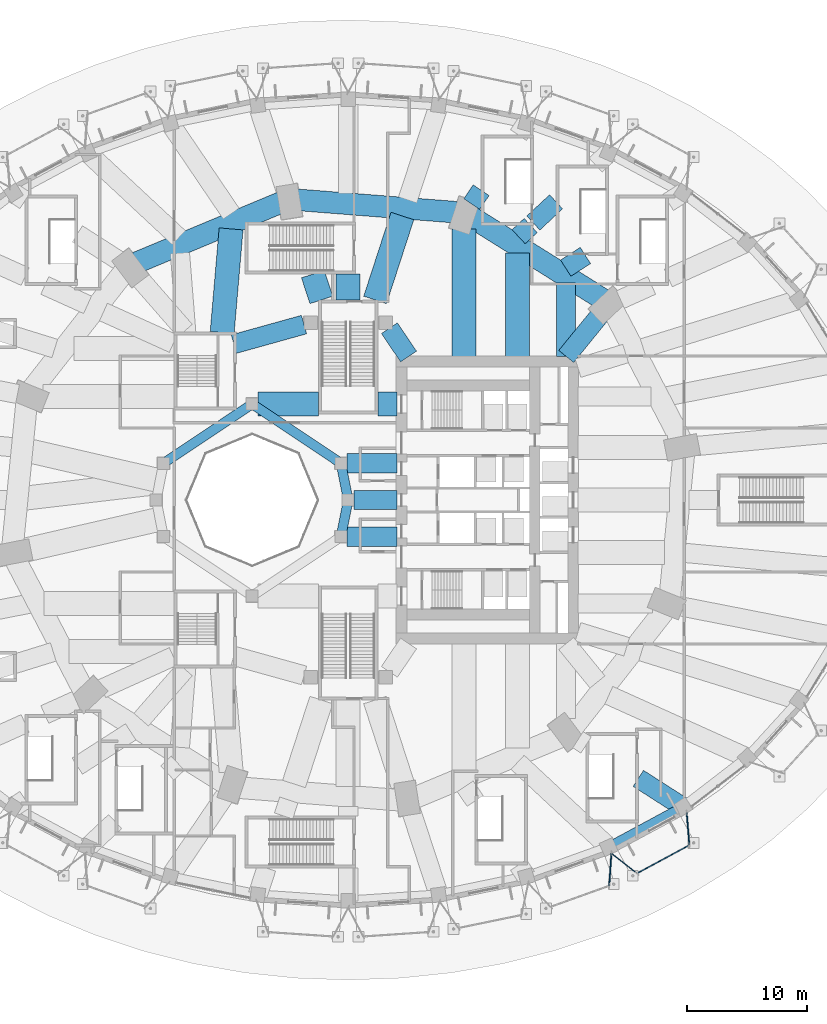
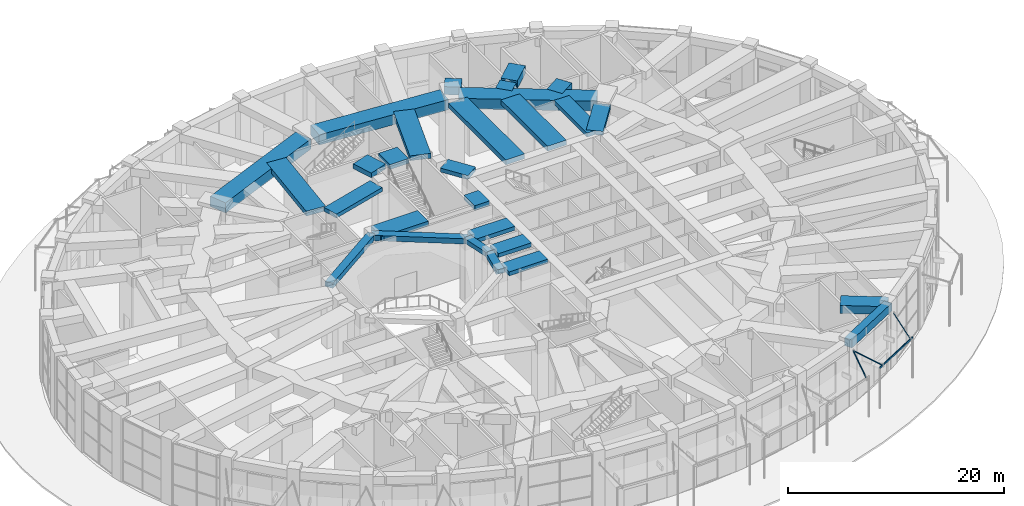
# One storey, part 27 of 60: 29 beams, 3 members.
"""IFC4 building model written with IfcOpenShell, lengths in metres."""

from ifc_helpers import new_model, si_unit, direction, frame, origin, origin_2d, place, context, subcontext, project, spatial, rectangle, hollow_rectangle, hollow_circle, extrude, material, material_profile, profile_set, type_object, element, save


model = new_model("IFC4")

# Units and contexts
model_context = context("Model", 3, precision=1e-05, world=origin(), true_north=direction((0.0, 1.0)))
body_context = subcontext(model_context, "Body", "Model", "MODEL_VIEW")
ifc_project = project(units=[si_unit("LENGTHUNIT", "METRE"), si_unit("AREAUNIT", "SQUARE_METRE"), si_unit("VOLUMEUNIT", "CUBIC_METRE"), si_unit("PLANEANGLEUNIT", "RADIAN"), si_unit("MASSUNIT", "GRAM", prefix="KILO")], contexts=[model_context])

# Site, building, storey
site_placement = place(None, origin())
site = spatial("IfcSite", under=ifc_project, at=site_placement, CompositionType="ELEMENT")
building_placement = place(site_placement, origin())
building = spatial("IfcBuilding", under=site, at=building_placement, Name="Taillehof Tower", CompositionType="ELEMENT")
storey_placement = place(building_placement, origin())
storey = spatial("IfcBuildingStorey", under=building, at=storey_placement, Name="L00", CompositionType="ELEMENT", Elevation=0.0)

# Beams
ifc_material_1 = material(Name="Concrete C50/60", Category="concrete")
ifc_material_profile_1 = material_profile(ifc_material_1, rectangle(XDim=0.800048828125, YDim=0.5, at=origin_2d()), Name="RC 800x500")
ifc_profile_set_1 = profile_set([ifc_material_profile_1], Name="Concrete C50/60")
beam_type_1 = type_object("IfcBeamType", Name="Atrium ring beam C50/60 800x500", PredefinedType="BEAM", material=ifc_profile_set_1)
for number, where, z_axis, x_axis, name in (
    (1, (0.0, 0.0, 6.840087890625), (-0.195063155143, 0.980790683839, 0.0), (-0.980790683839, -0.195063155143, 0.0), "Atrium ring beam AB01"),
    (2, (-0.60888671875, -3.0615234375, 6.840087890625), (0.195063155143, 0.980790683839, 0.0), (-0.980790683839, 0.195063155143, 0.0), "Atrium ring beam AB08"),
):
    element("IfcBeam", number, at=place(storey_placement, frame(where, z_axis=z_axis, x_axis=x_axis)), inside=storey, type_object=beam_type_1, Name=name, PredefinedType="BEAM", context=body_context, shape_type="SweptSolid", body=[
        extrude(rectangle(XDim=0.800048828125, YDim=0.5, at=origin_2d()), origin(), (0.0, 0.0, 1.0), 3.12158203125),
    ])
ifc_material_2 = material(Name="Concrete C50/60", Category="concrete")
ifc_material_profile_2 = material_profile(ifc_material_2, rectangle(XDim=0.800048828125, YDim=0.60009765625, at=origin_2d()), Name="RC 800x600")
ifc_profile_set_2 = profile_set([ifc_material_profile_2], Name="Concrete C50/60")
beam_type_2 = type_object("IfcBeamType", Name="Atrium ring beam C50/60 800x600", PredefinedType="BEAM", material=ifc_profile_set_2)
for number, where, z_axis, x_axis, name in (
    (3, (-0.60888671875, 3.0615234375, 6.7900390625), (-0.831475195687, 0.555561876804, 0.0), (-0.555561876804, -0.831475195687, 0.0), "Atrium ring beam AB02"),
    (4, (-8.0, 8.0, 6.7900390625), (-0.831475195687, -0.555561876804, 0.0), (0.555561876804, -0.831475195687, 0.0), "Atrium ring beam AB03"),
):
    element("IfcBeam", number, at=place(storey_placement, frame(where, z_axis=z_axis, x_axis=x_axis)), inside=storey, type_object=beam_type_2, Name=name, PredefinedType="BEAM", context=body_context, shape_type="SweptSolid", body=[
        extrude(rectangle(XDim=0.800048828125, YDim=0.60009765625, at=origin_2d()), origin(), (0.0, 0.0, 1.0), 8.88916015625),
    ])
ifc_material_3 = material(Name="Steel S460M", Category="steel")
ifc_material_profile_3 = material_profile(ifc_material_3, hollow_rectangle(XDim=0.10009765625, YDim=0.199951171875, WallThickness=0.008056640625, InnerFilletRadius=0.008056640625, OuterFilletRadius=0.011962890625, at=origin_2d()), Name="RHS 200x100x8")
ifc_profile_set_3 = profile_set([ifc_material_profile_3], Name="Steel S460M")
beam_type_3 = type_object("IfcBeamType", Name="Canopy edge beam RHS 200x100x8", PredefinedType="BEAM", material=ifc_profile_set_3)
beam_1_placement = place(storey_placement, frame((23.694091796875, -31.314453125, 4.550048828125), z_axis=(0.880314208322, 0.474391077727, 0.0), x_axis=(-0.474391077727, 0.880314208322, 0.0)))
element("IfcBeam", 5, at=beam_1_placement, inside=storey, type_object=beam_type_3, Name="Canopy edge beam E22", PredefinedType="BEAM", context=body_context, shape_type="SweptSolid", body=[
    extrude(hollow_rectangle(XDim=0.10009765625, YDim=0.199951171875, WallThickness=0.008056640625, InnerFilletRadius=0.008056640625, OuterFilletRadius=0.011962890625, at=origin_2d()), origin(), (0.0, 0.0, 1.0), 5.7978515625),
])

# Members
ifc_material_4 = material(Name="Steel S460M", Category="steel")
ifc_material_profile_4 = material_profile(ifc_material_4, hollow_circle(Radius=0.04443359375, WallThickness=0.0048828125, at=origin_2d()), Name="CHS 89x5")
ifc_profile_set_4 = profile_set([ifc_material_profile_4], Name="Steel S460M")
member_type = type_object("IfcMemberType", Name="Canopy tie CHS 89x5", PredefinedType="BRACE", material=ifc_profile_set_4)
for number, where, z_axis, x_axis, name in (
    (6, (21.74951171875, -32.147216796875, 4.639892578125), (0.060269732569, 0.89155693967, 0.448880588423), (-0.997722884906, 0.067446608035, 0.0), "Canopy tie E8"),
    (7, (24.063720703125, -31.115234375, 4.639892578125), (-0.703507737819, 0.550977655619, 0.448888054907), (-0.61659025801, -0.787284226774, 0.0), "Canopy tie E22"),
):
    element("IfcMember", number, at=place(storey_placement, frame(where, z_axis=z_axis, x_axis=x_axis)), inside=storey, type_object=member_type, Name=name, PredefinedType="BRACE", context=body_context, shape_type="SweptSolid", body=[
        extrude(hollow_circle(Radius=0.04443359375, WallThickness=0.0048828125, at=origin_2d()), origin(), (0.0, 0.0, 1.0), 3.030029296875),
    ])
member_placement = place(storey_placement, frame((28.42822265625, -28.76318359375, 4.639892578125), z_axis=(-0.072990996782, 0.890635175961, 0.448822122594), x_axis=(-0.996658604155, -0.081680026718, 0.0)))
element("IfcMember", 8, at=member_placement, inside=storey, type_object=member_type, Name="Canopy tie E22", PredefinedType="BRACE", context=body_context, shape_type="SweptSolid", body=[
    extrude(hollow_circle(Radius=0.04443359375, WallThickness=0.0048828125, at=origin_2d()), origin(), (0.0, 0.0, 1.0), 3.0302734375),
])

# Beams
ifc_material_5 = material(Name="Concrete C50/60", Category="concrete")
ifc_material_profile_5 = material_profile(ifc_material_5, rectangle(XDim=0.800048828125, YDim=0.89990234375, at=origin_2d()), Name="RC 800x900")
ifc_profile_set_5 = profile_set([ifc_material_profile_5], Name="Concrete C50/60")
beam_type_4 = type_object("IfcBeamType", Name="Podium edge beam C50/60 800x900", PredefinedType="BEAM", material=ifc_profile_set_5)
beam_2_placement = place(storey_placement, frame((21.699951171875, -28.92529296875, 6.639892578125), z_axis=(0.880322944269, 0.474374866317, 0.0), x_axis=(-0.474374866317, 0.880322944269, 0.0)))
element("IfcBeam", 9, at=beam_2_placement, inside=storey, type_object=beam_type_4, Name="Podium edge beam PB31", PredefinedType="BEAM", context=body_context, shape_type="SweptSolid", body=[
    extrude(rectangle(XDim=0.800048828125, YDim=0.89990234375, at=origin_2d()), origin(), (0.0, 0.0, 1.0), 7.03955078125),
])
ifc_material_6 = material(Name="Concrete C50/60", Category="concrete")
ifc_material_profile_6 = material_profile(ifc_material_6, rectangle(XDim=1.60009765625, YDim=0.89990234375, at=origin_2d()), Name="RC 1600x900")
ifc_profile_set_6 = profile_set([ifc_material_profile_6], Name="Concrete C50/60")
beam_type_5 = type_object("IfcBeamType", Name="Podium radial beam C50/60 1600x900", PredefinedType="BEAM", material=ifc_profile_set_6)
beam_3_placement = place(storey_placement, frame((19.76904296875, 20.375, 6.639892578125), z_axis=(-0.841852892028, -0.53970705775, 0.0), x_axis=(0.53970705775, -0.841852892028, 0.0)))
element("IfcBeam", 10, at=beam_3_placement, inside=storey, type_object=beam_type_5, Name="Podium radial beam PR06", PredefinedType="BEAM", context=body_context, shape_type="SweptSolid", body=[
    extrude(rectangle(XDim=1.60009765625, YDim=0.89990234375, at=origin_2d()), origin(), (0.0, 0.0, 1.0), 1.95068359375),
])
beam_4_placement = place(storey_placement, frame((17.324951171875, 24.848876953125, 6.639892578125), z_axis=(-0.731580253187, -0.68175533232, 0.0), x_axis=(0.68175533232, -0.731580253187, 0.0)))
element("IfcBeam", 11, at=beam_4_placement, inside=storey, type_object=beam_type_5, Name="Podium radial beam PR07", PredefinedType="BEAM", context=body_context, shape_type="SweptSolid", body=[
    extrude(rectangle(XDim=1.60009765625, YDim=0.89990234375, at=origin_2d()), origin(), (0.0, 0.0, 1.0), 2.596923828125),
])
beam_5_placement = place(storey_placement, frame((15.206787109375, 22.875, 6.639892578125), z_axis=(-0.731704583504, -0.681621891138, 0.0), x_axis=(0.681621891138, -0.731704583504, 0.0)))
element("IfcBeam", 12, at=beam_5_placement, inside=storey, type_object=beam_type_5, Name="Podium radial beam PR07", PredefinedType="BEAM", context=body_context, shape_type="SweptSolid", body=[
    extrude(rectangle(XDim=1.60009765625, YDim=0.89990234375, at=origin_2d()), origin(), (0.0, 0.0, 1.0), 1.374755859375),
])
beam_6_placement = place(storey_placement, frame((11.074951171875, 25.815673828125, 6.639892578125), z_axis=(-0.560330514103, -0.828269107817, 0.0), x_axis=(0.828269107817, -0.560330514103, 0.0)))
element("IfcBeam", 13, at=beam_6_placement, inside=storey, type_object=beam_type_5, Name="Podium radial beam PR08", PredefinedType="BEAM", context=body_context, shape_type="SweptSolid", body=[
    extrude(rectangle(XDim=1.60009765625, YDim=0.89990234375, at=origin_2d()), origin(), (0.0, 0.0, 1.0), 1.397705078125),
])
beam_7_placement = place(storey_placement, frame((27.89697265625, -25.5859375, 6.639892578125), z_axis=(-0.841839895545, 0.539727329555, 0.0), x_axis=(-0.539727329555, -0.841839895545, 0.0)))
element("IfcBeam", 14, at=beam_7_placement, inside=storey, type_object=beam_type_5, Name="Podium radial beam PR32", PredefinedType="BEAM", context=body_context, shape_type="SweptSolid", body=[
    extrude(rectangle(XDim=1.60009765625, YDim=0.89990234375, at=origin_2d()), origin(), (0.0, 0.0, 1.0), 4.421142578125),
])
ifc_material_7 = material(Name="Concrete C50/60", Category="concrete")
ifc_material_profile_7 = material_profile(ifc_material_7, rectangle(XDim=1.60009765625, YDim=0.449951171875, at=origin_2d()), Name="RC 1600x450")
ifc_profile_set_7 = profile_set([ifc_material_profile_7], Name="Concrete C50/60")
beam_type_6 = type_object("IfcBeamType", Name="Radial band beam C50/60 1600x450", PredefinedType="BEAM", material=ifc_profile_set_7)
beam_8_placement = place(storey_placement, frame((20.943115234375, 15.37255859375, 6.864990234375), z_axis=(-0.630991767535, -0.77578952642, 0.0), x_axis=(0.77578952642, -0.630991767535, 0.0)))
element("IfcBeam", 15, at=beam_8_placement, inside=storey, type_object=beam_type_6, Name="Radial band beam RB05", PredefinedType="BEAM", context=body_context, shape_type="SweptSolid", body=[
    extrude(rectangle(XDim=1.60009765625, YDim=0.449951171875, at=origin_2d()), origin(), (0.0, 0.0, 1.0), 4.397216796875),
])
beam_9_placement = place(storey_placement, frame((18.15869140625, 18.08740234375, 6.864990234375), z_axis=(0.0, -1.0, 0.0), x_axis=(1.0, 0.0, 0.0)))
element("IfcBeam", 16, at=beam_9_placement, inside=storey, type_object=beam_type_6, Name="Radial band beam RB06", PredefinedType="BEAM", context=body_context, shape_type="SweptSolid", body=[
    extrude(rectangle(XDim=1.60009765625, YDim=0.449951171875, at=origin_2d()), origin(), (0.0, 0.0, 1.0), 6.137451171875),
])
beam_10_placement = place(storey_placement, frame((0.5, 0.0, 6.864990234375), z_axis=(1.0, 0.0, 0.0), x_axis=(0.0, 1.0, 0.0)))
element("IfcBeam", 17, at=beam_10_placement, inside=storey, type_object=beam_type_6, Name="Inner band beam IB101", PredefinedType="BEAM", context=body_context, shape_type="SweptSolid", body=[
    extrude(rectangle(XDim=1.60009765625, YDim=0.449951171875, at=origin_2d()), origin(), (0.0, 0.0, 1.0), 3.550048828125),
])
for number, where, z_axis, x_axis, name in (
    (18, (-0.10888671875, 3.0615234375, 6.864990234375), (1.0, 0.0, 0.0), (0.0, 1.0, 0.0), "Inner band beam IB102"),
    (19, (-0.10888671875, -3.0615234375, 6.864990234375), (1.0, 0.0, 0.0), (0.0, 1.0, 0.0), "Inner band beam IB116"),
):
    element("IfcBeam", number, at=place(storey_placement, frame(where, z_axis=z_axis, x_axis=x_axis)), inside=storey, type_object=beam_type_6, Name=name, PredefinedType="BEAM", context=body_context, shape_type="SweptSolid", body=[
        extrude(rectangle(XDim=1.60009765625, YDim=0.449951171875, at=origin_2d()), origin(), (0.0, 0.0, 1.0), 4.158935546875),
    ])
beam_11_placement = place(storey_placement, frame((3.433837890625, 14.31640625, 6.864990234375), z_axis=(0.560112043398, -0.828416862962, 0.0), x_axis=(0.828416862962, 0.560112043398, 0.0)))
element("IfcBeam", 20, at=beam_11_placement, inside=storey, type_object=beam_type_6, Name="Inner band beam IB205", PredefinedType="BEAM", context=body_context, shape_type="SweptSolid", body=[
    extrude(rectangle(XDim=1.60009765625, YDim=0.449951171875, at=origin_2d()), origin(), (0.0, 0.0, 1.0), 2.84619140625),
])
beam_12_placement = place(storey_placement, frame((-3.6796875, 14.6181640625, 6.864990234375), z_axis=(-0.963453939049, -0.267874051248, 0.0), x_axis=(0.267874051248, -0.963453939049, 0.0)))
element("IfcBeam", 21, at=beam_12_placement, inside=storey, type_object=beam_type_6, Name="Inner band beam IB206", PredefinedType="BEAM", context=body_context, shape_type="SweptSolid", body=[
    extrude(rectangle(XDim=1.60009765625, YDim=0.449951171875, at=origin_2d()), origin(), (0.0, 0.0, 1.0), 6.07177734375),
])
ifc_material_8 = material(Name="Concrete C50/60", Category="concrete")
ifc_material_profile_8 = material_profile(ifc_material_8, rectangle(XDim=2.0, YDim=0.550048828125, at=origin_2d()), Name="RC 2000x550")
ifc_profile_set_8 = profile_set([ifc_material_profile_8], Name="Concrete C50/60")
beam_type_7 = type_object("IfcBeamType", Name="Radial band beam C50/60 2000x550", PredefinedType="BEAM", material=ifc_profile_set_8)
beam_13_placement = place(storey_placement, frame((14.125, 20.59375, 6.81494140625), z_axis=(0.0, -1.0, 0.0), x_axis=(1.0, 0.0, 0.0)))
element("IfcBeam", 22, at=beam_13_placement, inside=storey, type_object=beam_type_7, Name="Radial band beam RB07", PredefinedType="BEAM", context=body_context, shape_type="SweptSolid", body=[
    extrude(rectangle(XDim=2.0, YDim=0.550048828125, at=origin_2d()), origin(), (0.0, 0.0, 1.0), 8.643798828125),
])
beam_14_placement = place(storey_placement, frame((9.662109375, 22.582763671875, 6.81494140625), z_axis=(0.0, -1.0, 0.0), x_axis=(1.0, 0.0, 0.0)))
element("IfcBeam", 23, at=beam_14_placement, inside=storey, type_object=beam_type_7, Name="Radial band beam RB08", PredefinedType="BEAM", context=body_context, shape_type="SweptSolid", body=[
    extrude(rectangle(XDim=2.0, YDim=0.550048828125, at=origin_2d()), origin(), (0.0, 0.0, 1.0), 10.6328125),
])
beam_15_placement = place(storey_placement, frame((4.515380859375, 23.665771484375, 6.81494140625), z_axis=(-0.308999765566, -0.951062114102, 0.0), x_axis=(0.951062114102, -0.308999765566, 0.0)))
element("IfcBeam", 24, at=beam_15_placement, inside=storey, type_object=beam_type_7, Name="Radial band beam RB09", PredefinedType="BEAM", context=body_context, shape_type="SweptSolid", body=[
    extrude(rectangle(XDim=2.0, YDim=0.550048828125, at=origin_2d()), origin(), (0.0, 0.0, 1.0), 7.355712890625),
])
beam_16_placement = place(storey_placement, frame((0.0, 18.824951171875, 6.81494140625), z_axis=(0.0, -1.0, 0.0), x_axis=(1.0, 0.0, 0.0)))
element("IfcBeam", 25, at=beam_16_placement, inside=storey, type_object=beam_type_7, Name="Radial band beam RB10", PredefinedType="BEAM", context=body_context, shape_type="SweptSolid", body=[
    extrude(rectangle(XDim=2.0, YDim=0.550048828125, at=origin_2d()), origin(), (0.0, 0.0, 1.0), 2.155029296875),
])
beam_17_placement = place(storey_placement, frame((-2.942626953125, 18.824951171875, 6.81494140625), z_axis=(0.309010546837, -0.951058611203, 0.0), x_axis=(0.951058611203, 0.309010546837, 0.0)))
element("IfcBeam", 26, at=beam_17_placement, inside=storey, type_object=beam_type_7, Name="Radial band beam RB11", PredefinedType="BEAM", context=body_context, shape_type="SweptSolid", body=[
    extrude(rectangle(XDim=2.0, YDim=0.550048828125, at=origin_2d()), origin(), (0.0, 0.0, 1.0), 2.265869140625),
])
beam_18_placement = place(storey_placement, frame((-9.760009765625, 22.590576171875, 6.81494140625), z_axis=(-0.085833899747, -0.996309460787, 0.0), x_axis=(0.996309460787, -0.085833899747, 0.0)))
element("IfcBeam", 27, at=beam_18_placement, inside=storey, type_object=beam_type_7, Name="Radial band beam RB12", PredefinedType="BEAM", context=body_context, shape_type="SweptSolid", body=[
    extrude(rectangle(XDim=2.0, YDim=0.550048828125, at=origin_2d()), origin(), (0.0, 0.0, 1.0), 8.67236328125),
])
beam_19_placement = place(storey_placement, frame((-7.5, 8.0, 6.81494140625), z_axis=(1.0, 0.0, 0.0), x_axis=(0.0, 1.0, 0.0)))
element("IfcBeam", 28, at=beam_19_placement, inside=storey, type_object=beam_type_7, Name="Inner band beam IB105", PredefinedType="BEAM", context=body_context, shape_type="SweptSolid", body=[
    extrude(rectangle(XDim=2.0, YDim=0.550048828125, at=origin_2d()), origin(), (0.0, 0.0, 1.0), 5.02490234375),
])
beam_20_placement = place(storey_placement, frame((2.47509765625, 8.0, 6.81494140625), z_axis=(1.0, 0.0, 0.0), x_axis=(0.0, 1.0, 0.0)))
element("IfcBeam", 29, at=beam_20_placement, inside=storey, type_object=beam_type_7, Name="Inner band beam IB105", PredefinedType="BEAM", context=body_context, shape_type="SweptSolid", body=[
    extrude(rectangle(XDim=2.0, YDim=0.550048828125, at=origin_2d()), origin(), (0.0, 0.0, 1.0), 1.574951171875),
])
ifc_material_9 = material(Name="Concrete C50/60", Category="concrete")
ifc_material_profile_9 = material_profile(ifc_material_9, rectangle(XDim=1.800048828125, YDim=1.14990234375, at=origin_2d()), Name="RC 1800x1150")
ifc_profile_set_9 = profile_set([ifc_material_profile_9], Name="Concrete C50/60")
beam_type_8 = type_object("IfcBeamType", Name="Ring floor beam C50/60 1800x1150", PredefinedType="BEAM", material=ifc_profile_set_9)
beam_21_placement = place(storey_placement, frame((21.207275390625, 16.737548828125, 6.514892578125), z_axis=(-0.847670289151, 0.530523402774, 0.0), x_axis=(-0.530523402774, -0.847670289151, 0.0)))
element("IfcBeam", 30, at=beam_21_placement, inside=storey, type_object=beam_type_8, Name="Ring floor beam RG02", PredefinedType="BEAM", context=body_context, shape_type="SweptSolid", body=[
    extrude(rectangle(XDim=1.800048828125, YDim=1.14990234375, at=origin_2d()), origin(), (0.0, 0.0, 1.0), 12.843505859375),
])
beam_22_placement = place(storey_placement, frame((9.024169921875, 23.977783203125, 6.514892578125), z_axis=(-0.996957372869, 0.0779486798, 0.0), x_axis=(-0.0779486798, -0.996957372869, 0.0)))
element("IfcBeam", 31, at=beam_22_placement, inside=storey, type_object=beam_type_8, Name="Ring floor beam RG03", PredefinedType="BEAM", context=body_context, shape_type="SweptSolid", body=[
    extrude(rectangle(XDim=1.800048828125, YDim=1.14990234375, at=origin_2d()), origin(), (0.0, 0.0, 1.0), 13.298828125),
])
beam_23_placement = place(storey_placement, frame((-5.588134765625, 24.798583984375, 6.514892578125), z_axis=(-0.923036542488, -0.384712283703, 0.0), x_axis=(0.384712283703, -0.923036542488, 0.0)))
element("IfcBeam", 32, at=beam_23_placement, inside=storey, type_object=beam_type_8, Name="Ring floor beam RG04", PredefinedType="BEAM", context=body_context, shape_type="SweptSolid", body=[
    extrude(rectangle(XDim=1.800048828125, YDim=1.14990234375, at=origin_2d()), origin(), (0.0, 0.0, 1.0), 13.0595703125),
])

save(model, "model.ifc")
